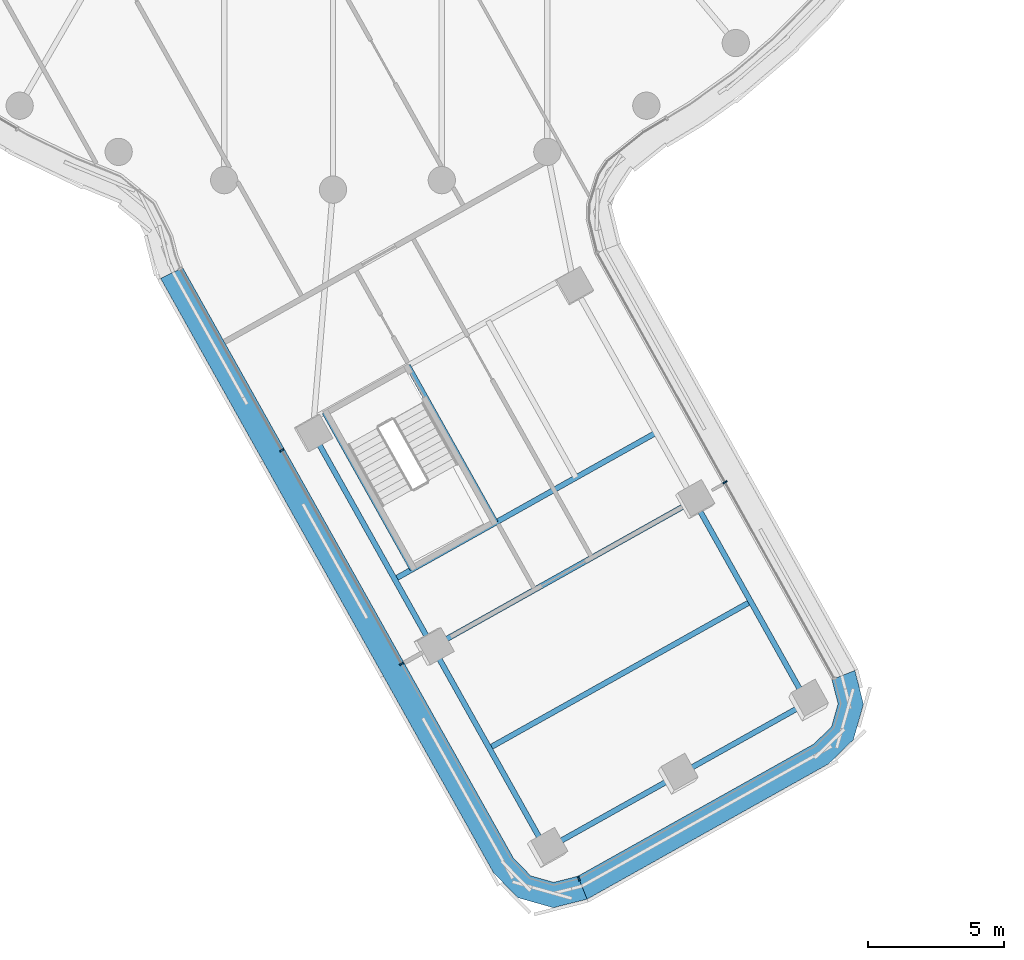
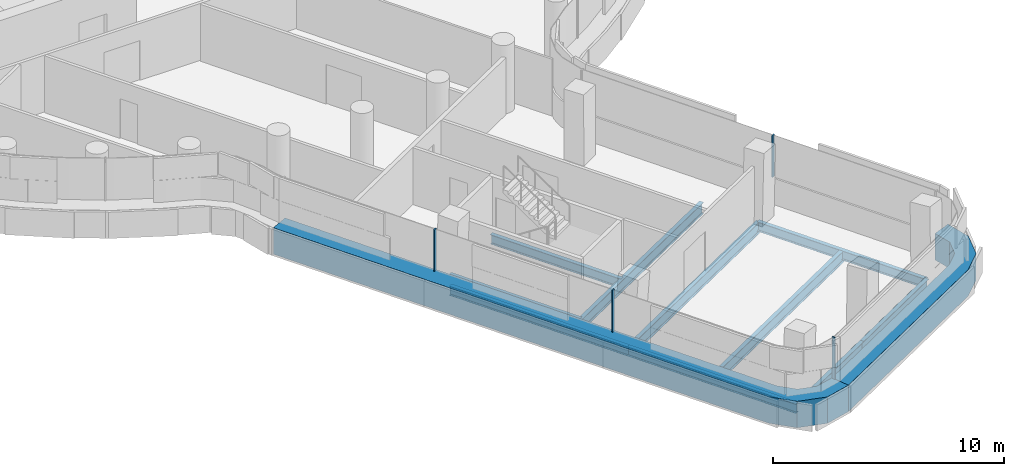
# One storey, part 3 of 34: 10 beams, 6 members, 3 elements without a shape of their own.
"""IFC4 building model written with IfcOpenShell, lengths in metres."""

from ifc_helpers import new_model, si_unit, direction, frame, origin, origin_2d, place, context, subcontext, project, spatial, polyline, rectangle, i_section, outline, extrude, material, layer, layer_set, material_profile, profile_set, type_object, element, aggregate, save


model = new_model("IFC4")

# Units and contexts
model_context = context("Model", 3, precision=1e-05, world=origin(), true_north=direction((0.0, 1.0)))
body_context = subcontext(model_context, "Body", "Model", "MODEL_VIEW")
ifc_project = project(units=[si_unit("LENGTHUNIT", "METRE"), si_unit("AREAUNIT", "SQUARE_METRE"), si_unit("VOLUMEUNIT", "CUBIC_METRE"), si_unit("PLANEANGLEUNIT", "RADIAN"), si_unit("MASSUNIT", "GRAM", prefix="KILO")], contexts=[model_context])

# Site, building, storey
site_placement = place(None, origin())
site = spatial("IfcSite", under=ifc_project, at=site_placement, CompositionType="ELEMENT")
building_placement = place(site_placement, origin())
building = spatial("IfcBuilding", under=site, at=building_placement, Name="Tamarind Cross Interchange Tower", CompositionType="ELEMENT")
storey_placement = place(building_placement, frame((0.0, 0.0, 140.5)))
storey = spatial("IfcBuildingStorey", under=building, at=storey_placement, Name="L34", CompositionType="ELEMENT", Elevation=140.5)

# Beams
ifc_material_1 = material(Name="Steel Q355B", Category="steel")
ifc_material_profile_1 = material_profile(ifc_material_1, i_section(OverallWidth=0.198974609375, OverallDepth=0.49609375, WebThickness=0.009033203125, FlangeThickness=0.013916015625, FilletRadius=0.012939453125, at=origin_2d()), Name="HN 496x199x9x14")
ifc_profile_set_1 = profile_set([ifc_material_profile_1], Name="Steel Q355B")
beam_type_1 = type_object("IfcBeamType", Name="Composite beam HN 496x199x9x14 Q355B", PredefinedType="BEAM", material=ifc_profile_set_1)
beam_1_placement = place(storey_placement, frame((7.815185546875, -47.20703125, -0.387939453125), z_axis=(-0.488691584994, 0.872456609096, 0.0), x_axis=(-0.872456609096, -0.488691584994, 0.0)))
element("IfcBeam", 1, at=beam_1_placement, inside=storey, type_object=beam_type_1, Name="Beam S-edgeem5", PredefinedType="BEAM", context=body_context, shape_type="SweptSolid", body=[
    extrude(i_section(OverallWidth=0.198974609375, OverallDepth=0.49609375, WebThickness=0.009033203125, FlangeThickness=0.013916015625, FilletRadius=0.012939453125, at=origin_2d()), origin(), (0.0, 0.0, 1.0), 8.51123046875),
])
beam_2_placement = place(storey_placement, frame((3.65576171875, -39.78125, -0.387939453125), z_axis=(-0.488691751996, 0.872456515553, 0.0), x_axis=(-0.872456515553, -0.488691751996, 0.0)))
element("IfcBeam", 2, at=beam_2_placement, inside=storey, type_object=beam_type_1, Name="Beam S-edgeem6", PredefinedType="BEAM", context=body_context, shape_type="SweptSolid", body=[
    extrude(i_section(OverallWidth=0.198974609375, OverallDepth=0.49609375, WebThickness=0.009033203125, FlangeThickness=0.013916015625, FilletRadius=0.012939453125, at=origin_2d()), origin(), (0.0, 0.0, 1.0), 9.0),
])
beam_3_placement = place(storey_placement, frame((17.412109375, -41.83154296875, -0.387939453125), z_axis=(-0.488669750731, 0.872468838825, 0.0), x_axis=(-0.872468838825, -0.488669750731, 0.0)))
element("IfcBeam", 3, at=beam_3_placement, inside=storey, type_object=beam_type_1, Name="Beam S-edgeep2", PredefinedType="BEAM", context=body_context, shape_type="SweptSolid", body=[
    extrude(i_section(OverallWidth=0.198974609375, OverallDepth=0.49609375, WebThickness=0.009033203125, FlangeThickness=0.013916015625, FilletRadius=0.012939453125, at=origin_2d()), origin(), (0.0, 0.0, 1.0), 8.51123046875),
])
for number, where, z_axis, x_axis, name in (
    (4, (-0.307861328125, -31.170166015625, -0.387939453125), (0.488699112209, -0.872452392813, 0.0), (0.872452392813, 0.488699112209, 0.0), "Beam S-tr0"),
    (5, (2.74560546875, -29.459716796875, -0.387939453125), (0.488699112209, -0.872452392813, 0.0), (0.872452392813, 0.488699112209, 0.0), "Beam S-tr1"),
):
    element("IfcBeam", number, at=place(storey_placement, frame(where, z_axis=z_axis, x_axis=x_axis)), inside=storey, type_object=beam_type_1, Name=name, PredefinedType="BEAM", context=body_context, shape_type="SweptSolid", body=[
        extrude(i_section(OverallWidth=0.198974609375, OverallDepth=0.49609375, WebThickness=0.009033203125, FlangeThickness=0.013916015625, FilletRadius=0.012939453125, at=origin_2d()), origin(), (0.0, 0.0, 1.0), 6.599853515625),
    ])
ifc_material_profile_2 = material_profile(ifc_material_1, i_section(OverallWidth=0.199951171875, OverallDepth=0.60009765625, WebThickness=0.010986328125, FlangeThickness=0.01708984375, FilletRadius=0.012939453125, at=origin_2d()), Name="HN 600x200x11x17")
ifc_profile_set_2 = profile_set([ifc_material_profile_2], Name="Steel Q355B")
beam_type_2 = type_object("IfcBeamType", Name="Composite beam HN 600x200x11x17 Q355B", PredefinedType="BEAM", material=ifc_profile_set_2)
beam_4_placement = place(storey_placement, frame((7.815185546875, -47.20703125, -0.43994140625), z_axis=(0.872464381267, 0.488677709151, 0.0), x_axis=(-0.488677709151, 0.872464381267, 0.0)))
element("IfcBeam", 6, at=beam_4_placement, inside=storey, type_object=beam_type_2, Name="Beam S-tip0", PredefinedType="BEAM", context=body_context, shape_type="SweptSolid", body=[
    extrude(i_section(OverallWidth=0.199951171875, OverallDepth=0.60009765625, WebThickness=0.010986328125, FlangeThickness=0.01708984375, FilletRadius=0.012939453125, at=origin_2d()), origin(), (0.0, 0.0, 1.0), 5.5),
])
beam_5_placement = place(storey_placement, frame((12.61376953125, -44.519287109375, -0.43994140625), z_axis=(0.872453780313, 0.488696635161, 0.0), x_axis=(-0.488696635161, 0.872453780313, 0.0)))
element("IfcBeam", 7, at=beam_5_placement, inside=storey, type_object=beam_type_2, Name="Beam S-tip1", PredefinedType="BEAM", context=body_context, shape_type="SweptSolid", body=[
    extrude(i_section(OverallWidth=0.199951171875, OverallDepth=0.60009765625, WebThickness=0.010986328125, FlangeThickness=0.01708984375, FilletRadius=0.012939453125, at=origin_2d()), origin(), (0.0, 0.0, 1.0), 5.499755859375),
])
beam_6_placement = place(storey_placement, frame((2.262939453125, -37.294921875, -0.43994140625), z_axis=(0.872454918509, 0.488694603171, 0.0), x_axis=(-0.488694603171, 0.872454918509, 0.0)))
element("IfcBeam", 8, at=beam_6_placement, inside=storey, type_object=beam_type_2, Name="Beam S-x364", PredefinedType="BEAM", context=body_context, shape_type="SweptSolid", body=[
    extrude(i_section(OverallWidth=0.199951171875, OverallDepth=0.60009765625, WebThickness=0.010986328125, FlangeThickness=0.01708984375, FilletRadius=0.012939453125, at=origin_2d()), origin(), (0.0, 0.0, 1.0), 11.000244140625),
])
for number, where, z_axis, x_axis, name in (
    (9, (3.65576171875, -39.78125, -0.43994140625), (0.872464381267, 0.488677709151, 0.0), (-0.488677709151, 0.872464381267, 0.0), "Beam S-x393"),
    (10, (5.7353515625, -43.494140625, -0.43994140625), (0.872464381267, 0.488677709151, 0.0), (-0.488677709151, 0.872464381267, 0.0), "Beam S-x436"),
):
    element("IfcBeam", number, at=place(storey_placement, frame(where, z_axis=z_axis, x_axis=x_axis)), inside=storey, type_object=beam_type_2, Name=name, PredefinedType="BEAM", context=body_context, shape_type="SweptSolid", body=[
        extrude(i_section(OverallWidth=0.199951171875, OverallDepth=0.60009765625, WebThickness=0.010986328125, FlangeThickness=0.01708984375, FilletRadius=0.012939453125, at=origin_2d()), origin(), (0.0, 0.0, 1.0), 11.0),
    ])

# Curtain wall, member
ifc_material_2 = material(Name="Aluminium 6063-T6", Category="aluminium")
ifc_layer = layer(ifc_material_2, 0.159912109375)
ifc_layer_set = layer_set([ifc_layer], Name="Aluminium 6063-T6")
curtain_wall_type = type_object("IfcCurtainWallType", Name="Office curtain wall, 9.0 m bays", PredefinedType="NOTDEFINED", material=ifc_layer_set)
curtain_wall_1_placement = place(storey_placement, origin())
curtain_wall_1 = element("IfcCurtainWall", 11, at=curtain_wall_1_placement, inside=storey, type_object=curtain_wall_type, Name="CWS-L34-03", PredefinedType="NOTDEFINED")
ifc_material_3 = material(Name="Aluminium and insulated spandrel panel", Category="aluminium")
member_type_1 = type_object("IfcMemberType", Name="Floor-edge blade transom", PredefinedType="USERDEFINED", material=ifc_material_3)
member_1_placement = place(storey_placement, origin())
member_1 = element("IfcMember", 12, at=member_1_placement, type_object=member_type_1, Name="CWT-L34-03", ObjectType="TRANSOM", PredefinedType="USERDEFINED", context=body_context, shape_type="SweptSolid", body=[
    extrude(outline(polyline([(-5.51416015625, -25.86572265625), (6.62060546875, -47.530029296875), (7.259521484375, -48.185546875), (8.10107421875, -48.423095703125), (8.98828125, -48.197509765625), (9.32470703125, -49.040771484375), (8.089111328125, -49.354736328125), (6.783203125, -48.986572265625), (5.893310546875, -48.0732421875), (-6.328125, -26.25390625), (-5.51416015625, -25.86572265625)])), origin(), (0.0, 0.0, 1.0), 1.39990234375),
])

curtain_wall_2_placement = place(storey_placement, origin())
curtain_wall_2 = element("IfcCurtainWall", 13, at=curtain_wall_2_placement, inside=storey, type_object=curtain_wall_type, Name="CWS-L34-04", PredefinedType="NOTDEFINED")
member_2_placement = place(storey_placement, origin())
member_2 = element("IfcMember", 14, at=member_2_placement, type_object=member_type_1, Name="CWT-L34-04", ObjectType="TRANSOM", PredefinedType="USERDEFINED", context=body_context, shape_type="SweptSolid", body=[
    extrude(outline(polyline([(8.98828125, -48.197509765625), (17.64404296875, -43.349365234375), (18.299560546875, -42.71044921875), (18.536865234375, -41.868896484375), (18.3115234375, -40.981201171875), (19.15478515625, -40.645751953125), (19.46875, -41.880859375), (19.100341796875, -43.186767578125), (18.187255859375, -44.07666015625), (9.32470703125, -49.040771484375), (8.98828125, -48.197509765625)])), origin(), (0.0, 0.0, 1.0), 1.39990234375),
])

# Member
ifc_material_profile_3 = material_profile(ifc_material_2, rectangle(XDim=0.06005859375, YDim=0.159912109375, at=origin_2d()), Name="Mullion CW1")
ifc_profile_set_3 = profile_set([ifc_material_profile_3], Name="Aluminium 6063-T6")
member_type_2 = type_object("IfcMemberType", Name="Mullion CW1", PredefinedType="MULLION", material=ifc_profile_set_3)
member_3_placement = place(storey_placement, frame((-1.876220703125, -32.5654296875, 1.39990234375), z_axis=(0.0, 0.0, 1.0), x_axis=(0.488688242939, -0.872458481082, 0.0)))
member_3 = element("IfcMember", 15, at=member_3_placement, type_object=member_type_2, Name="CWM-L34-03-01", PredefinedType="MULLION", context=body_context, shape_type="SweptSolid", body=[
    extrude(rectangle(XDim=0.06005859375, YDim=0.159912109375, at=origin_2d()), origin(), (0.0, 0.0, 1.0), 2.210205078125),
])

member_4_placement = place(storey_placement, frame((2.51513671875, -40.405029296875, 1.39990234375), z_axis=(0.0, 0.0, 1.0), x_axis=(0.488688242939, -0.872458481082, 0.0)))
member_4 = element("IfcMember", 16, at=member_4_placement, type_object=member_type_2, Name="CWM-L34-03-02", PredefinedType="MULLION", context=body_context, shape_type="SweptSolid", body=[
    extrude(rectangle(XDim=0.06005859375, YDim=0.159912109375, at=origin_2d()), origin(), (0.0, 0.0, 1.0), 2.210205078125),
])

aggregate(curtain_wall_1, [member_3, member_4, member_1])

member_5_placement = place(storey_placement, frame((9.025634765625, -48.291259765625, 1.39990234375), z_axis=(0.0, 0.0, 1.0), x_axis=(0.928781093365, 0.37062876387, 0.0)))
member_5 = element("IfcMember", 17, at=member_5_placement, type_object=member_type_2, Name="CWM-L34-04-00", PredefinedType="MULLION", context=body_context, shape_type="SweptSolid", body=[
    extrude(rectangle(XDim=0.06005859375, YDim=0.159912109375, at=origin_2d()), origin(), (0.0, 0.0, 1.0), 2.210205078125),
])

aggregate(curtain_wall_2, [member_5, member_2])

# Curtain wall, member
curtain_wall_3_placement = place(storey_placement, origin())
curtain_wall_3 = element("IfcCurtainWall", 18, at=curtain_wall_3_placement, inside=storey, type_object=curtain_wall_type, Name="CWS-L34-05", PredefinedType="NOTDEFINED")
member_6_placement = place(storey_placement, frame((14.388427734375, -33.73876953125, 1.39990234375), z_axis=(0.0, 0.0, 1.0), x_axis=(-0.486914520101, 0.873449626547, 0.0)))
member_6 = element("IfcMember", 19, at=member_6_placement, type_object=member_type_2, Name="CWM-L34-05-01", PredefinedType="MULLION", context=body_context, shape_type="SweptSolid", body=[
    extrude(rectangle(XDim=0.06005859375, YDim=0.159912109375, at=origin_2d()), origin(), (0.0, 0.0, 1.0), 2.210205078125),
])
aggregate(curtain_wall_3, [member_6])

save(model, "model.ifc")
